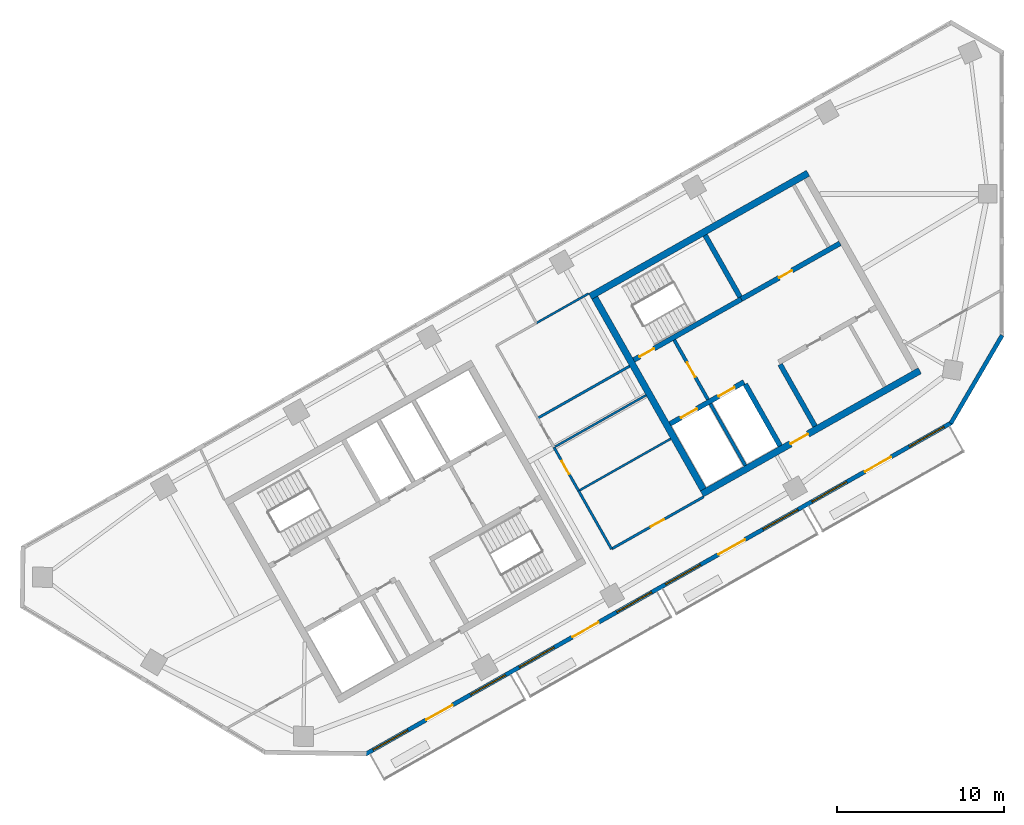
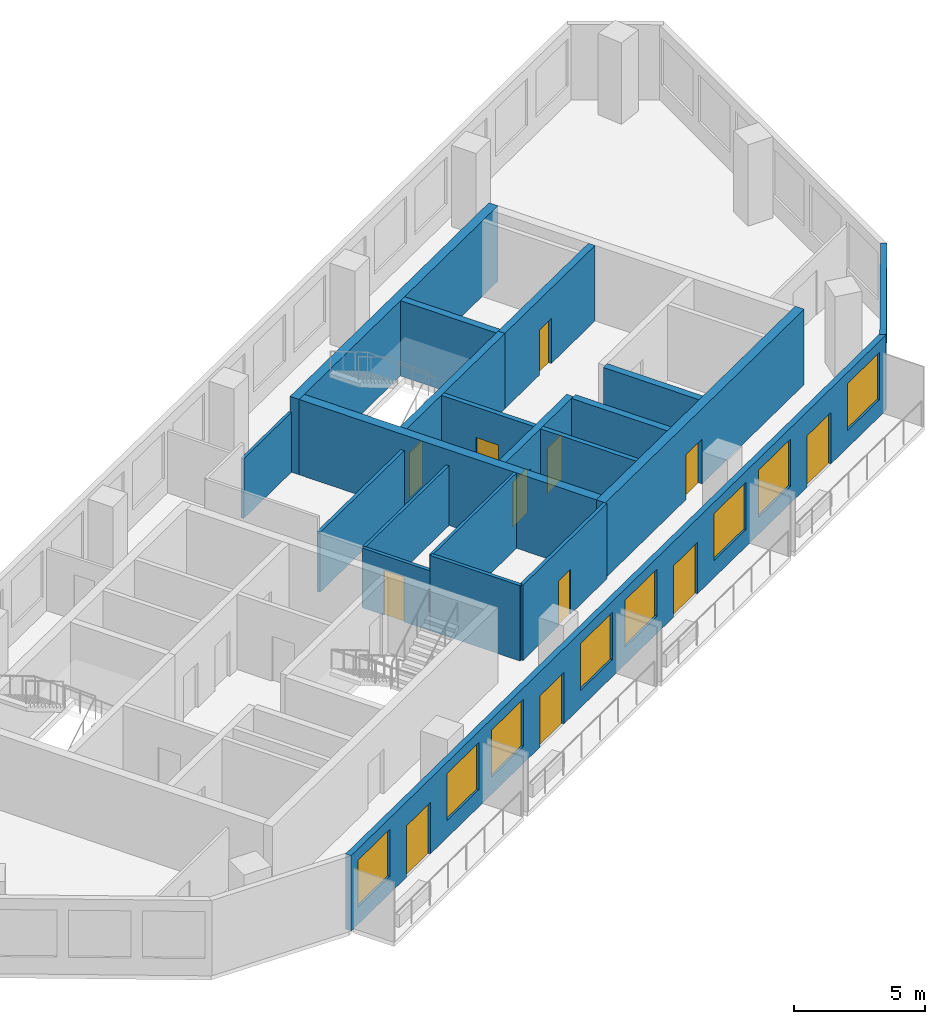
# One storey, part 4 of 7: 20 walls, 12 doors, 8 windows, 20 openings.
"""IFC4 building model written with IfcOpenShell, lengths in metres."""

from ifc_helpers import new_model, si_unit, direction, frame, frame_2d, origin, place, context, subcontext, project, spatial, rectangle, extrude, material, layer, layer_set, type_object, element, fill, save


model = new_model("IFC4")

# Units and contexts
model_context = context("Model", 3, precision=1e-05, world=origin(), true_north=direction((0.0, 1.0)))
body_context = subcontext(model_context, "Body", "Model", "MODEL_VIEW")
ifc_project = project(units=[si_unit("LENGTHUNIT", "METRE"), si_unit("AREAUNIT", "SQUARE_METRE"), si_unit("VOLUMEUNIT", "CUBIC_METRE"), si_unit("PLANEANGLEUNIT", "RADIAN"), si_unit("MASSUNIT", "GRAM", prefix="KILO")], contexts=[model_context])

# Site, building, storey
site_placement = place(None, origin())
site = spatial("IfcSite", under=ifc_project, at=site_placement, CompositionType="ELEMENT")
building_placement = place(site_placement, origin())
building = spatial("IfcBuilding", under=site, at=building_placement, Name="Binnacle Exchange Tower", CompositionType="ELEMENT")
storey_placement = place(building_placement, frame((0.0, 0.0, 274.10009765625)))
storey = spatial("IfcBuildingStorey", under=building, at=storey_placement, Name="L61", CompositionType="ELEMENT", Elevation=274.10009765625)

# Wall, openings, doors
ifc_material_1 = material(Name="Concrete C70/85", Category="concrete")
ifc_layer_1 = layer(ifc_material_1, 0.300048828125)
ifc_layer_set_1 = layer_set([ifc_layer_1], Name="Core wall - front 300")
wall_type_1 = type_object("IfcWallType", Name="Core wall - front 300", PredefinedType="SOLIDWALL", material=ifc_layer_set_1)
wall_1_placement = place(storey_placement, frame((-19.89208984375, 46.2177734375, 0.0), z_axis=(0.0, 0.0, 1.0), x_axis=(0.870341639186, 0.492448404505, 0.0)))
wall_1 = element("IfcWall", 1, at=wall_1_placement, inside=storey, type_object=wall_type_1, Name="Core wall CRWC2", PredefinedType="SOLIDWALL", context=body_context, shape_type="SweptSolid", body=[
    extrude(rectangle(XDim=5.099853515625, YDim=0.300048828125, at=frame_2d((2.5498046875, 0.0))), origin(), (0.0, 0.0, 1.0), 3.52001953125),
])
opening_1_placement = place(wall_1_placement, frame((0.75, 0.0, 0.0)))
opening_1 = element("IfcOpeningElement", 2, at=opening_1_placement, cuts=wall_1, Name="Opening LD14", PredefinedType="OPENING", context=body_context, shape_type="SweptSolid", body=[
    extrude(rectangle(XDim=1.10009765625, YDim=2.10009765625, at=frame_2d((0.550048828125, 1.050048828125))), frame((0.0, 0.159912109375, 0.0), z_axis=(0.0, -1.0, 0.0), x_axis=(1.0, 0.0, 0.0)), (0.0, 0.0, 1.0), 0.320068359375),
])
opening_2_placement = place(wall_1_placement, frame((3.35009765625, 0.0, 0.0)))
opening_2 = element("IfcOpeningElement", 3, at=opening_2_placement, cuts=wall_1, Name="Opening LD11", PredefinedType="OPENING", context=body_context, shape_type="SweptSolid", body=[
    extrude(rectangle(XDim=1.10009765625, YDim=2.10009765625, at=frame_2d((0.550048828125, 1.050048828125))), frame((0.0, 0.159912109375, 0.0), z_axis=(0.0, -1.0, 0.0), x_axis=(1.0, 0.0, 0.0)), (0.0, 0.0, 1.0), 0.320068359375),
])
ifc_material_2 = material(Name="Steel door leaf", Category="steel")
door_type_1 = type_object("IfcDoorType", Name="Fire door - lift landing 1100", OperationType="NOTDEFINED", PredefinedType="DOOR", material=ifc_material_2)
door_1_placement = place(opening_1_placement, origin())
door_1 = element("IfcDoor", 4, at=door_1_placement, inside=storey, type_object=door_type_1, Name="Landing door LD14 L61", OperationType="DOUBLE_DOOR_SLIDING", OverallHeight=2.10009765625, OverallWidth=1.10009765625, PredefinedType="DOOR", context=body_context, shape_type="SweptSolid", body=[
    extrude(rectangle(XDim=1.10009765625, YDim=2.10009765625, at=frame_2d((0.550048828125, 1.050048828125))), frame((0.0, 0.02490234375, 0.0), z_axis=(0.0, -1.0, 0.0), x_axis=(1.0, 0.0, 0.0)), (0.0, 0.0, 1.0), 0.050048828125),
])
fill(opening_1, door_1)
door_2_placement = place(opening_2_placement, origin())
door_2 = element("IfcDoor", 5, at=door_2_placement, inside=storey, type_object=door_type_1, Name="Landing door LD11 L61", OperationType="DOUBLE_DOOR_SLIDING", OverallHeight=2.10009765625, OverallWidth=1.10009765625, PredefinedType="DOOR", context=body_context, shape_type="SweptSolid", body=[
    extrude(rectangle(XDim=1.10009765625, YDim=2.10009765625, at=frame_2d((0.550048828125, 1.050048828125))), frame((0.0, 0.02490234375, 0.0), z_axis=(0.0, -1.0, 0.0), x_axis=(1.0, 0.0, 0.0)), (0.0, 0.0, 1.0), 0.050048828125),
])
fill(opening_2, door_2)

# Wall, opening, door
wall_2_placement = place(storey_placement, frame((-15.6181640625, 53.69140625, 0.0), z_axis=(0.0, 0.0, 1.0), x_axis=(0.870362830851, 0.492410948978, 0.0)))
wall_2 = element("IfcWall", 6, at=wall_2_placement, inside=storey, type_object=wall_type_1, Name="Core wall CRWC5", PredefinedType="SOLIDWALL", context=body_context, shape_type="SweptSolid", body=[
    extrude(rectangle(XDim=6.800048828125, YDim=0.300048828125, at=frame_2d((3.39990234375, 0.0))), origin(), (0.0, 0.0, 1.0), 3.52001953125),
])
opening_3_placement = place(wall_2_placement, frame((2.60009765625, 0.0, 0.0)))
opening_3 = element("IfcOpeningElement", 7, at=opening_3_placement, cuts=wall_2, Name="Opening DC10", PredefinedType="OPENING", context=body_context, shape_type="SweptSolid", body=[
    extrude(rectangle(XDim=0.89990234375, YDim=2.10009765625, at=frame_2d((0.449951171875, 1.050048828125))), frame((0.0, 0.159912109375, 0.0), z_axis=(0.0, -1.0, 0.0), x_axis=(1.0, 0.0, 0.0)), (0.0, 0.0, 1.0), 0.320068359375),
])
door_type_2 = type_object("IfcDoorType", Name="Fire door 900", OperationType="NOTDEFINED", PredefinedType="DOOR", material=ifc_material_2)
door_3_placement = place(opening_3_placement, origin())
door_3 = element("IfcDoor", 8, at=door_3_placement, inside=storey, type_object=door_type_2, Name="Core room door STAFF PANTRY AND STORE", OperationType="SINGLE_SWING_LEFT", OverallHeight=2.10009765625, OverallWidth=0.89990234375, PredefinedType="DOOR", context=body_context, shape_type="SweptSolid", body=[
    extrude(rectangle(XDim=0.89990234375, YDim=2.10009765625, at=frame_2d((0.449951171875, 1.050048828125))), frame((0.0, 0.02490234375, 0.0), z_axis=(0.0, -1.0, 0.0), x_axis=(1.0, 0.0, 0.0)), (0.0, 0.0, 1.0), 0.050048828125),
])
fill(opening_3, door_3)

# Walls
wall_3_placement = place(storey_placement, frame((-15.37939453125, 48.5986328125, 0.0), z_axis=(0.0, 0.0, 1.0), x_axis=(0.492422543467, -0.870356271124, 0.0)))
element("IfcWall", 9, at=wall_3_placement, inside=storey, type_object=wall_type_1, Name="Core wall CRWC13", PredefinedType="SOLIDWALL", context=body_context, shape_type="SweptSolid", body=[
    extrude(rectangle(XDim=4.25, YDim=0.300048828125, at=frame_2d((2.125, 0.0))), origin(), (0.0, 0.0, 1.0), 3.52001953125),
])
wall_4_placement = place(storey_placement, frame((-13.29052734375, 49.780517578125, 0.0), z_axis=(0.0, 0.0, 1.0), x_axis=(0.492397924348, -0.870370199454, 0.0)))
element("IfcWall", 10, at=wall_4_placement, inside=storey, type_object=wall_type_1, Name="Core wall CRWC15", PredefinedType="SOLIDWALL", context=body_context, shape_type="SweptSolid", body=[
    extrude(rectangle(XDim=4.250244140625, YDim=0.300048828125, at=frame_2d((2.125, 0.0))), origin(), (0.0, 0.0, 1.0), 3.52001953125),
])

# Wall, opening, door
ifc_layer_2 = layer(ifc_material_1, 0.39990234375)
ifc_layer_set_2 = layer_set([ifc_layer_2], Name="Core wall - outer 400")
wall_type_2 = type_object("IfcWallType", Name="Core wall - outer 400", PredefinedType="SOLIDWALL", material=ifc_layer_set_2)
wall_5_placement = place(storey_placement, frame((-17.97509765625, 42.01708984375, 0.0), z_axis=(0.0, 0.0, 1.0), x_axis=(0.87034965173, 0.492434243055, 0.0)))
wall_5 = element("IfcWall", 11, at=wall_5_placement, inside=storey, type_object=wall_type_2, Name="Core wall CRWC1", PredefinedType="SOLIDWALL", context=body_context, shape_type="SweptSolid", body=[
    extrude(rectangle(XDim=15.0, YDim=0.39990234375, at=frame_2d((7.5, 0.0))), origin(), (0.0, 0.0, 1.0), 3.52001953125),
])
opening_4_placement = place(wall_5_placement, frame((6.10009765625, 0.0, 0.0)))
opening_4 = element("IfcOpeningElement", 12, at=opening_4_placement, cuts=wall_5, Name="Opening DC7", PredefinedType="OPENING", context=body_context, shape_type="SweptSolid", body=[
    extrude(rectangle(XDim=1.199951171875, YDim=2.10009765625, at=frame_2d((0.60009765625, 1.050048828125))), frame((0.0, 0.2099609375, 0.0), z_axis=(0.0, -1.0, 0.0), x_axis=(1.0, 0.0, 0.0)), (0.0, 0.0, 1.0), 0.419921875),
])
door_type_3 = type_object("IfcDoorType", Name="Fire door 1200", OperationType="NOTDEFINED", PredefinedType="DOOR", material=ifc_material_2)
door_4_placement = place(opening_4_placement, frame((1.199951171875, 0.0, 0.0), z_axis=(0.0, 0.0, 1.0), x_axis=(-1.0, 0.0, 0.0)))
door_4 = element("IfcDoor", 13, at=door_4_placement, inside=storey, type_object=door_type_3, Name="Lift lobby entrance door core C", OperationType="SINGLE_SWING_RIGHT", OverallHeight=2.10009765625, OverallWidth=1.199951171875, PredefinedType="DOOR", context=body_context, shape_type="SweptSolid", body=[
    extrude(rectangle(XDim=1.199951171875, YDim=2.10009765625, at=frame_2d((0.60009765625, 1.050048828125))), frame((0.0, 0.02490234375, 0.0), z_axis=(0.0, -1.0, 0.0), x_axis=(1.0, 0.0, 0.0)), (0.0, 0.0, 1.0), 0.050048828125),
])
fill(opening_4, door_4)

# Walls
wall_6_placement = place(storey_placement, frame((-24.672119140625, 53.85400390625, 0.0), z_axis=(0.0, 0.0, 1.0), x_axis=(0.870353598469, 0.492427267353, 0.0)))
element("IfcWall", 14, at=wall_6_placement, inside=storey, type_object=wall_type_2, Name="Core wall CRWC6", PredefinedType="SOLIDWALL", context=body_context, shape_type="SweptSolid", body=[
    extrude(rectangle(XDim=15.000244140625, YDim=0.39990234375, at=frame_2d((7.5, 0.0))), origin(), (0.0, 0.0, 1.0), 3.52001953125),
])
wall_7_placement = place(storey_placement, frame((-24.399658203125, 53.778564453125, 0.0), z_axis=(0.0, 0.0, 1.0), x_axis=(0.492421663121, -0.870356769198, 0.0)))
element("IfcWall", 15, at=wall_7_placement, inside=storey, type_object=wall_type_2, Name="Core wall CRWC7", PredefinedType="SOLIDWALL", context=body_context, shape_type="SweptSolid", body=[
    extrude(rectangle(XDim=13.199951171875, YDim=0.39990234375, at=frame_2d((6.60009765625, 0.0))), origin(), (0.0, 0.0, 1.0), 3.52001953125),
])

# Wall, opening, door
ifc_layer_3 = layer(ifc_material_1, 0.300048828125)
ifc_layer_set_3 = layer_set([ifc_layer_3], Name="Core wall - stair 300")
wall_type_3 = type_object("IfcWallType", Name="Core wall - stair 300", PredefinedType="SOLIDWALL", material=ifc_layer_set_3)
wall_8_placement = place(storey_placement, frame((-22.058837890625, 50.04736328125, 0.0), z_axis=(0.0, 0.0, 1.0), x_axis=(0.87035077051, 0.49243226567, 0.0)))
wall_8 = element("IfcWall", 16, at=wall_8_placement, inside=storey, type_object=wall_type_3, Name="Core wall CRWC4", PredefinedType="SOLIDWALL", context=body_context, shape_type="SweptSolid", body=[
    extrude(rectangle(XDim=7.400146484375, YDim=0.300048828125, at=frame_2d((3.7001953125, 0.0))), origin(), (0.0, 0.0, 1.0), 3.52001953125),
])
opening_5_placement = place(wall_8_placement, frame((0.39990234375, 0.0, 0.0)))
opening_5 = element("IfcOpeningElement", 17, at=opening_5_placement, cuts=wall_8, Name="Opening DC1", PredefinedType="OPENING", context=body_context, shape_type="SweptSolid", body=[
    extrude(rectangle(XDim=1.0, YDim=2.10009765625, at=frame_2d((0.5, 1.050048828125))), frame((0.0, 0.159912109375, 0.0), z_axis=(0.0, -1.0, 0.0), x_axis=(1.0, 0.0, 0.0)), (0.0, 0.0, 1.0), 0.320068359375),
])
door_type_4 = type_object("IfcDoorType", Name="Fire door 1000", OperationType="NOTDEFINED", PredefinedType="DOOR", material=ifc_material_2)
door_5_placement = place(opening_5_placement, origin())
door_5 = element("IfcDoor", 18, at=door_5_placement, inside=storey, type_object=door_type_4, Name="Stair door ST-C1", OperationType="SINGLE_SWING_LEFT", OverallHeight=2.10009765625, OverallWidth=1.0, PredefinedType="DOOR", context=body_context, shape_type="SweptSolid", body=[
    extrude(rectangle(XDim=1.0, YDim=2.10009765625, at=frame_2d((0.5, 1.050048828125))), frame((0.0, 0.02490234375, 0.0), z_axis=(0.0, -1.0, 0.0), x_axis=(1.0, 0.0, 0.0)), (0.0, 0.0, 1.0), 0.050048828125),
])
fill(opening_5, door_5)

# Walls
wall_9_placement = place(storey_placement, frame((-17.784912109375, 57.52099609375, 0.0), z_axis=(0.0, 0.0, 1.0), x_axis=(0.492422543467, -0.870356271124, 0.0)))
element("IfcWall", 19, at=wall_9_placement, inside=storey, type_object=wall_type_3, Name="Core wall CRWC14", PredefinedType="SOLIDWALL", context=body_context, shape_type="SweptSolid", body=[
    extrude(rectangle(XDim=4.25, YDim=0.300048828125, at=frame_2d((2.125, 0.0))), origin(), (0.0, 0.0, 1.0), 3.52001953125),
])
ifc_material_3 = material(Name="Bronze aluminium cladding", Category="aluminium")
ifc_layer_4 = layer(ifc_material_3, 0.25)
ifc_layer_set_4 = layer_set([ifc_layer_4], Name="External wall - window wall 250")
wall_type_4 = type_object("IfcWallType", Name="External wall - window wall 250", PredefinedType="STANDARD", material=ifc_layer_set_4)
wall_10_placement = place(storey_placement, frame((0.01708984375, 51.529296875, 0.0), z_axis=(0.0, 0.0, 1.0), x_axis=(-0.503769237131, -0.863838269424, 0.0)))
element("IfcWall", 20, at=wall_10_placement, inside=storey, type_object=wall_type_4, Name="External wall EW-H00 L61", PredefinedType="STANDARD", context=body_context, shape_type="SweptSolid", body=[
    extrude(rectangle(XDim=6.114501953125, YDim=0.25, at=frame_2d((3.05712890625, 0.0))), origin(), (0.0, 0.0, 1.0), 3.52001953125),
])

# Wall, openings, doors, windows
wall_11_placement = place(storey_placement, frame((-3.016845703125, 46.293212890625, 0.0), z_axis=(0.0, 0.0, 1.0), x_axis=(-0.870355474887, -0.492423950812, 0.0)))
wall_11 = element("IfcWall", 21, at=wall_11_placement, inside=storey, type_object=wall_type_4, Name="External wall EW-H07 L61", PredefinedType="STANDARD", context=body_context, shape_type="SweptSolid", body=[
    extrude(rectangle(XDim=40.34033203125, YDim=0.25, at=frame_2d((20.170166015625, 0.0))), origin(), (0.0, 0.0, 1.0), 3.52001953125),
])
opening_6_placement = place(wall_11_placement, frame((37.428466796875, 0.0, 0.800048828125)))
opening_6 = element("IfcOpeningElement", 22, at=opening_6_placement, cuts=wall_11, Name="Opening WR2", PredefinedType="OPENING", context=body_context, shape_type="SweptSolid", body=[
    extrude(rectangle(XDim=2.39990234375, YDim=2.199951171875, at=frame_2d((1.199951171875, 1.10009765625))), frame((0.0, 0.135009765625, 0.0), z_axis=(0.0, -1.0, 0.0), x_axis=(1.0, 0.0, 0.0)), (0.0, 0.0, 1.0), 0.27001953125),
])
opening_7_placement = place(wall_11_placement, frame((34.372314453125, 0.0, 0.0)))
opening_7 = element("IfcOpeningElement", 23, at=opening_7_placement, cuts=wall_11, Name="Opening D-FS18-01", PredefinedType="OPENING", context=body_context, shape_type="SweptSolid", body=[
    extrude(rectangle(XDim=1.800048828125, YDim=2.39990234375, at=frame_2d((0.89990234375, 1.199951171875))), frame((0.0, 0.135009765625, 0.0), z_axis=(0.0, -1.0, 0.0), x_axis=(1.0, 0.0, 0.0)), (0.0, 0.0, 1.0), 0.27001953125),
])
opening_8_placement = place(wall_11_placement, frame((30.71630859375, 0.0, 0.800048828125)))
opening_8 = element("IfcOpeningElement", 24, at=opening_8_placement, cuts=wall_11, Name="Opening WR2", PredefinedType="OPENING", context=body_context, shape_type="SweptSolid", body=[
    extrude(rectangle(XDim=2.39990234375, YDim=2.199951171875, at=frame_2d((1.199951171875, 1.10009765625))), frame((0.0, 0.135009765625, 0.0), z_axis=(0.0, -1.0, 0.0), x_axis=(1.0, 0.0, 0.0)), (0.0, 0.0, 1.0), 0.27001953125),
])
opening_9_placement = place(wall_11_placement, frame((27.3603515625, 0.0, 0.800048828125)))
opening_9 = element("IfcOpeningElement", 25, at=opening_9_placement, cuts=wall_11, Name="Opening WR2", PredefinedType="OPENING", context=body_context, shape_type="SweptSolid", body=[
    extrude(rectangle(XDim=2.39990234375, YDim=2.199951171875, at=frame_2d((1.199951171875, 1.10009765625))), frame((0.0, 0.135009765625, 0.0), z_axis=(0.0, -1.0, 0.0), x_axis=(1.0, 0.0, 0.0)), (0.0, 0.0, 1.0), 0.27001953125),
])
opening_10_placement = place(wall_11_placement, frame((24.30419921875, 0.0, 0.0)))
opening_10 = element("IfcOpeningElement", 26, at=opening_10_placement, cuts=wall_11, Name="Opening D-FS18-02", PredefinedType="OPENING", context=body_context, shape_type="SweptSolid", body=[
    extrude(rectangle(XDim=1.800048828125, YDim=2.39990234375, at=frame_2d((0.89990234375, 1.199951171875))), frame((0.0, 0.135009765625, 0.0), z_axis=(0.0, -1.0, 0.0), x_axis=(1.0, 0.0, 0.0)), (0.0, 0.0, 1.0), 0.27001953125),
])
opening_11_placement = place(wall_11_placement, frame((20.648193359375, 0.0, 0.800048828125)))
opening_11 = element("IfcOpeningElement", 27, at=opening_11_placement, cuts=wall_11, Name="Opening WR2", PredefinedType="OPENING", context=body_context, shape_type="SweptSolid", body=[
    extrude(rectangle(XDim=2.39990234375, YDim=2.199951171875, at=frame_2d((1.199951171875, 1.10009765625))), frame((0.0, 0.135009765625, 0.0), z_axis=(0.0, -1.0, 0.0), x_axis=(1.0, 0.0, 0.0)), (0.0, 0.0, 1.0), 0.27001953125),
])
opening_12_placement = place(wall_11_placement, frame((17.2919921875, 0.0, 0.800048828125)))
opening_12 = element("IfcOpeningElement", 28, at=opening_12_placement, cuts=wall_11, Name="Opening WR2", PredefinedType="OPENING", context=body_context, shape_type="SweptSolid", body=[
    extrude(rectangle(XDim=2.39990234375, YDim=2.199951171875, at=frame_2d((1.199951171875, 1.10009765625))), frame((0.0, 0.135009765625, 0.0), z_axis=(0.0, -1.0, 0.0), x_axis=(1.0, 0.0, 0.0)), (0.0, 0.0, 1.0), 0.27001953125),
])
opening_13_placement = place(wall_11_placement, frame((14.236083984375, 0.0, 0.0)))
opening_13 = element("IfcOpeningElement", 29, at=opening_13_placement, cuts=wall_11, Name="Opening D-FS18-03", PredefinedType="OPENING", context=body_context, shape_type="SweptSolid", body=[
    extrude(rectangle(XDim=1.800048828125, YDim=2.39990234375, at=frame_2d((0.89990234375, 1.199951171875))), frame((0.0, 0.135009765625, 0.0), z_axis=(0.0, -1.0, 0.0), x_axis=(1.0, 0.0, 0.0)), (0.0, 0.0, 1.0), 0.27001953125),
])
opening_14_placement = place(wall_11_placement, frame((10.580078125, 0.0, 0.800048828125)))
opening_14 = element("IfcOpeningElement", 30, at=opening_14_placement, cuts=wall_11, Name="Opening WR2", PredefinedType="OPENING", context=body_context, shape_type="SweptSolid", body=[
    extrude(rectangle(XDim=2.39990234375, YDim=2.199951171875, at=frame_2d((1.199951171875, 1.10009765625))), frame((0.0, 0.135009765625, 0.0), z_axis=(0.0, -1.0, 0.0), x_axis=(1.0, 0.0, 0.0)), (0.0, 0.0, 1.0), 0.27001953125),
])
opening_15_placement = place(wall_11_placement, frame((7.223876953125, 0.0, 0.800048828125)))
opening_15 = element("IfcOpeningElement", 31, at=opening_15_placement, cuts=wall_11, Name="Opening WR2", PredefinedType="OPENING", context=body_context, shape_type="SweptSolid", body=[
    extrude(rectangle(XDim=2.39990234375, YDim=2.199951171875, at=frame_2d((1.199951171875, 1.10009765625))), frame((0.0, 0.135009765625, 0.0), z_axis=(0.0, -1.0, 0.0), x_axis=(1.0, 0.0, 0.0)), (0.0, 0.0, 1.0), 0.27001953125),
])
opening_16_placement = place(wall_11_placement, frame((4.16796875, 0.0, 0.0)))
opening_16 = element("IfcOpeningElement", 32, at=opening_16_placement, cuts=wall_11, Name="Opening D-FS18-04", PredefinedType="OPENING", context=body_context, shape_type="SweptSolid", body=[
    extrude(rectangle(XDim=1.800048828125, YDim=2.39990234375, at=frame_2d((0.89990234375, 1.199951171875))), frame((0.0, 0.135009765625, 0.0), z_axis=(0.0, -1.0, 0.0), x_axis=(1.0, 0.0, 0.0)), (0.0, 0.0, 1.0), 0.27001953125),
])
opening_17_placement = place(wall_11_placement, frame((0.51171875, 0.0, 0.800048828125)))
opening_17 = element("IfcOpeningElement", 33, at=opening_17_placement, cuts=wall_11, Name="Opening WR2", PredefinedType="OPENING", context=body_context, shape_type="SweptSolid", body=[
    extrude(rectangle(XDim=2.39990234375, YDim=2.199951171875, at=frame_2d((1.199951171875, 1.10009765625))), frame((0.0, 0.135009765625, 0.0), z_axis=(0.0, -1.0, 0.0), x_axis=(1.0, 0.0, 0.0)), (0.0, 0.0, 1.0), 0.27001953125),
])
ifc_material_4 = material(Name="Bronze anodised aluminium frame", Category="aluminium")
door_type_5 = type_object("IfcDoorType", Name="DB DOOR 1800x2400", OperationType="DOUBLE_DOOR_SINGLE_SWING", PredefinedType="DOOR", material=ifc_material_4)
door_6_placement = place(opening_7_placement, origin())
door_6 = element("IfcDoor", 34, at=door_6_placement, inside=storey, type_object=door_type_5, Name="Door D-FS18-01 L61", OperationType="DOUBLE_DOOR_SINGLE_SWING", OverallHeight=2.39990234375, OverallWidth=1.800048828125, PredefinedType="DOOR", context=body_context, shape_type="SweptSolid", body=[
    extrude(rectangle(XDim=1.800048828125, YDim=2.39990234375, at=frame_2d((0.89990234375, 1.199951171875))), frame((0.0, 0.02490234375, 0.0), z_axis=(0.0, -1.0, 0.0), x_axis=(1.0, 0.0, 0.0)), (0.0, 0.0, 1.0), 0.050048828125),
])
fill(opening_7, door_6)
door_7_placement = place(opening_10_placement, origin())
door_7 = element("IfcDoor", 35, at=door_7_placement, inside=storey, type_object=door_type_5, Name="Door D-FS18-02 L61", OperationType="DOUBLE_DOOR_SINGLE_SWING", OverallHeight=2.39990234375, OverallWidth=1.800048828125, PredefinedType="DOOR", context=body_context, shape_type="SweptSolid", body=[
    extrude(rectangle(XDim=1.800048828125, YDim=2.39990234375, at=frame_2d((0.89990234375, 1.199951171875))), frame((0.0, 0.02490234375, 0.0), z_axis=(0.0, -1.0, 0.0), x_axis=(1.0, 0.0, 0.0)), (0.0, 0.0, 1.0), 0.050048828125),
])
fill(opening_10, door_7)
door_8_placement = place(opening_13_placement, origin())
door_8 = element("IfcDoor", 36, at=door_8_placement, inside=storey, type_object=door_type_5, Name="Door D-FS18-03 L61", OperationType="DOUBLE_DOOR_SINGLE_SWING", OverallHeight=2.39990234375, OverallWidth=1.800048828125, PredefinedType="DOOR", context=body_context, shape_type="SweptSolid", body=[
    extrude(rectangle(XDim=1.800048828125, YDim=2.39990234375, at=frame_2d((0.89990234375, 1.199951171875))), frame((0.0, 0.02490234375, 0.0), z_axis=(0.0, -1.0, 0.0), x_axis=(1.0, 0.0, 0.0)), (0.0, 0.0, 1.0), 0.050048828125),
])
fill(opening_13, door_8)
door_9_placement = place(opening_16_placement, origin())
door_9 = element("IfcDoor", 37, at=door_9_placement, inside=storey, type_object=door_type_5, Name="Door D-FS18-04 L61", OperationType="DOUBLE_DOOR_SINGLE_SWING", OverallHeight=2.39990234375, OverallWidth=1.800048828125, PredefinedType="DOOR", context=body_context, shape_type="SweptSolid", body=[
    extrude(rectangle(XDim=1.800048828125, YDim=2.39990234375, at=frame_2d((0.89990234375, 1.199951171875))), frame((0.0, 0.02490234375, 0.0), z_axis=(0.0, -1.0, 0.0), x_axis=(1.0, 0.0, 0.0)), (0.0, 0.0, 1.0), 0.050048828125),
])
fill(opening_16, door_9)
window_type = type_object("IfcWindowType", Name="WR2 WINDOW 2400x2200", PartitioningType="SINGLE_PANEL", PredefinedType="WINDOW", material=ifc_material_4)
window_1_placement = place(opening_6_placement, origin())
window_1 = element("IfcWindow", 38, at=window_1_placement, inside=storey, type_object=window_type, Name="Window WR2 L61", OverallHeight=2.199951171875, OverallWidth=2.39990234375, PartitioningType="SINGLE_PANEL", PredefinedType="WINDOW", context=body_context, shape_type="SweptSolid", body=[
    extrude(rectangle(XDim=2.39990234375, YDim=2.199951171875, at=frame_2d((1.199951171875, 1.10009765625))), frame((0.0, 0.030029296875, 0.0), z_axis=(0.0, -1.0, 0.0), x_axis=(1.0, 0.0, 0.0)), (0.0, 0.0, 1.0), 0.06005859375),
])
fill(opening_6, window_1)
window_2_placement = place(opening_8_placement, origin())
window_2 = element("IfcWindow", 39, at=window_2_placement, inside=storey, type_object=window_type, Name="Window WR2 L61", OverallHeight=2.199951171875, OverallWidth=2.39990234375, PartitioningType="SINGLE_PANEL", PredefinedType="WINDOW", context=body_context, shape_type="SweptSolid", body=[
    extrude(rectangle(XDim=2.39990234375, YDim=2.199951171875, at=frame_2d((1.199951171875, 1.10009765625))), frame((0.0, 0.030029296875, 0.0), z_axis=(0.0, -1.0, 0.0), x_axis=(1.0, 0.0, 0.0)), (0.0, 0.0, 1.0), 0.06005859375),
])
fill(opening_8, window_2)
window_3_placement = place(opening_9_placement, origin())
window_3 = element("IfcWindow", 40, at=window_3_placement, inside=storey, type_object=window_type, Name="Window WR2 L61", OverallHeight=2.199951171875, OverallWidth=2.39990234375, PartitioningType="SINGLE_PANEL", PredefinedType="WINDOW", context=body_context, shape_type="SweptSolid", body=[
    extrude(rectangle(XDim=2.39990234375, YDim=2.199951171875, at=frame_2d((1.199951171875, 1.10009765625))), frame((0.0, 0.030029296875, 0.0), z_axis=(0.0, -1.0, 0.0), x_axis=(1.0, 0.0, 0.0)), (0.0, 0.0, 1.0), 0.06005859375),
])
fill(opening_9, window_3)
window_4_placement = place(opening_11_placement, origin())
window_4 = element("IfcWindow", 41, at=window_4_placement, inside=storey, type_object=window_type, Name="Window WR2 L61", OverallHeight=2.199951171875, OverallWidth=2.39990234375, PartitioningType="SINGLE_PANEL", PredefinedType="WINDOW", context=body_context, shape_type="SweptSolid", body=[
    extrude(rectangle(XDim=2.39990234375, YDim=2.199951171875, at=frame_2d((1.199951171875, 1.10009765625))), frame((0.0, 0.030029296875, 0.0), z_axis=(0.0, -1.0, 0.0), x_axis=(1.0, 0.0, 0.0)), (0.0, 0.0, 1.0), 0.06005859375),
])
fill(opening_11, window_4)
window_5_placement = place(opening_12_placement, origin())
window_5 = element("IfcWindow", 42, at=window_5_placement, inside=storey, type_object=window_type, Name="Window WR2 L61", OverallHeight=2.199951171875, OverallWidth=2.39990234375, PartitioningType="SINGLE_PANEL", PredefinedType="WINDOW", context=body_context, shape_type="SweptSolid", body=[
    extrude(rectangle(XDim=2.39990234375, YDim=2.199951171875, at=frame_2d((1.199951171875, 1.10009765625))), frame((0.0, 0.030029296875, 0.0), z_axis=(0.0, -1.0, 0.0), x_axis=(1.0, 0.0, 0.0)), (0.0, 0.0, 1.0), 0.06005859375),
])
fill(opening_12, window_5)
window_6_placement = place(opening_14_placement, origin())
window_6 = element("IfcWindow", 43, at=window_6_placement, inside=storey, type_object=window_type, Name="Window WR2 L61", OverallHeight=2.199951171875, OverallWidth=2.39990234375, PartitioningType="SINGLE_PANEL", PredefinedType="WINDOW", context=body_context, shape_type="SweptSolid", body=[
    extrude(rectangle(XDim=2.39990234375, YDim=2.199951171875, at=frame_2d((1.199951171875, 1.10009765625))), frame((0.0, 0.030029296875, 0.0), z_axis=(0.0, -1.0, 0.0), x_axis=(1.0, 0.0, 0.0)), (0.0, 0.0, 1.0), 0.06005859375),
])
fill(opening_14, window_6)
window_7_placement = place(opening_15_placement, origin())
window_7 = element("IfcWindow", 44, at=window_7_placement, inside=storey, type_object=window_type, Name="Window WR2 L61", OverallHeight=2.199951171875, OverallWidth=2.39990234375, PartitioningType="SINGLE_PANEL", PredefinedType="WINDOW", context=body_context, shape_type="SweptSolid", body=[
    extrude(rectangle(XDim=2.39990234375, YDim=2.199951171875, at=frame_2d((1.199951171875, 1.10009765625))), frame((0.0, 0.030029296875, 0.0), z_axis=(0.0, -1.0, 0.0), x_axis=(1.0, 0.0, 0.0)), (0.0, 0.0, 1.0), 0.06005859375),
])
fill(opening_15, window_7)
window_8_placement = place(opening_17_placement, origin())
window_8 = element("IfcWindow", 45, at=window_8_placement, inside=storey, type_object=window_type, Name="Window WR2 L61", OverallHeight=2.199951171875, OverallWidth=2.39990234375, PartitioningType="SINGLE_PANEL", PredefinedType="WINDOW", context=body_context, shape_type="SweptSolid", body=[
    extrude(rectangle(XDim=2.39990234375, YDim=2.199951171875, at=frame_2d((1.199951171875, 1.10009765625))), frame((0.0, 0.030029296875, 0.0), z_axis=(0.0, -1.0, 0.0), x_axis=(1.0, 0.0, 0.0)), (0.0, 0.0, 1.0), 0.06005859375),
])
fill(opening_17, window_8)

# Wall, opening, door
ifc_material_5 = material(Name="Masonry block wall", Category="masonry")
ifc_layer_5 = layer(ifc_material_5, 0.199951171875)
ifc_layer_set_5 = layer_set([ifc_layer_5], Name="Fire wall - vestibule 200")
wall_type_5 = type_object("IfcWallType", Name="Fire wall - vestibule 200", PredefinedType="PARTITIONING", material=ifc_layer_set_5)
wall_12_placement = place(storey_placement, frame((-19.635009765625, 51.246337890625, 0.0), z_axis=(0.0, 0.0, 1.0), x_axis=(0.492408451753, -0.87036424366, 0.0)))
wall_12 = element("IfcWall", 46, at=wall_12_placement, inside=storey, type_object=wall_type_5, Name="Core wall CRWC10", PredefinedType="PARTITIONING", context=body_context, shape_type="SweptSolid", body=[
    extrude(rectangle(XDim=4.099853515625, YDim=0.199951171875, at=frame_2d((2.0498046875, 0.0))), origin(), (0.0, 0.0, 1.0), 3.52001953125),
])
opening_18_placement = place(wall_12_placement, frame((1.550048828125, 0.0, 0.0)))
opening_18 = element("IfcOpeningElement", 47, at=opening_18_placement, cuts=wall_12, Name="Opening DC3", PredefinedType="OPENING", context=body_context, shape_type="SweptSolid", body=[
    extrude(rectangle(XDim=1.0, YDim=2.10009765625, at=frame_2d((0.5, 1.050048828125))), frame((0.0, 0.10986328125, 0.0), z_axis=(0.0, -1.0, 0.0), x_axis=(1.0, 0.0, 0.0)), (0.0, 0.0, 1.0), 0.219970703125),
])
door_10_placement = place(opening_18_placement, frame((1.0, 0.0, 0.0), z_axis=(0.0, 0.0, 1.0), x_axis=(-1.0, 0.0, 0.0)))
door_10 = element("IfcDoor", 48, at=door_10_placement, inside=storey, type_object=door_type_4, Name="Vestibule door VEST-W", OperationType="SINGLE_SWING_RIGHT", OverallHeight=2.10009765625, OverallWidth=1.0, PredefinedType="DOOR", context=body_context, shape_type="SweptSolid", body=[
    extrude(rectangle(XDim=1.0, YDim=2.10009765625, at=frame_2d((0.5, 1.050048828125))), frame((0.0, 0.02490234375, 0.0), z_axis=(0.0, -1.0, 0.0), x_axis=(1.0, 0.0, 0.0)), (0.0, 0.0, 1.0), 0.050048828125),
])
fill(opening_18, door_10)

# Wall
ifc_material_6 = material(Name="Gypsum partition fire rated")
ifc_layer_6 = layer(ifc_material_6, 0.14990234375)
ifc_layer_set_6 = layer_set([ifc_layer_6], Name="Fire-rated partition 150")
wall_type_6 = type_object("IfcWallType", Name="Fire-rated partition 150", PredefinedType="PARTITIONING", material=ifc_layer_set_6)
wall_13_placement = place(storey_placement, frame((-27.826904296875, 46.553955078125, 0.0), z_axis=(0.0, 0.0, 1.0), x_axis=(0.870339695563, 0.492451839602, 0.0)))
element("IfcWall", 49, at=wall_13_placement, inside=storey, type_object=wall_type_6, Name="Partition W09", PredefinedType="PARTITIONING", context=body_context, shape_type="SweptSolid", body=[
    extrude(rectangle(XDim=6.33984375, YDim=0.14990234375, at=frame_2d((3.169921875, 0.0))), origin(), (0.0, 0.0, 1.0), 2.7919921875),
])

# Wall, opening, door
wall_14_placement = place(storey_placement, frame((-26.842041015625, 44.81298828125, 0.0), z_axis=(0.0, 0.0, 1.0), x_axis=(0.492365617434, -0.870388475779, 0.0)))
wall_14 = element("IfcWall", 50, at=wall_14_placement, inside=storey, type_object=wall_type_6, Name="Partition W10", PredefinedType="PARTITIONING", context=body_context, shape_type="SweptSolid", body=[
    extrude(rectangle(XDim=3.0, YDim=0.14990234375, at=frame_2d((1.5, 0.0))), origin(), (0.0, 0.0, 1.0), 2.7919921875),
])
opening_19_placement = place(wall_14_placement, frame((0.949951171875, 0.0, 0.0)))
opening_19 = element("IfcOpeningElement", 51, at=opening_19_placement, cuts=wall_14, Name="Opening DL61-05", PredefinedType="OPENING", context=body_context, shape_type="SweptSolid", body=[
    extrude(rectangle(XDim=0.89990234375, YDim=2.10009765625, at=frame_2d((0.449951171875, 1.050048828125))), frame((0.0, 0.0849609375, 0.0), z_axis=(0.0, -1.0, 0.0), x_axis=(1.0, 0.0, 0.0)), (0.0, 0.0, 1.0), 0.169921875),
])
door_11_placement = place(opening_19_placement, origin())
door_11 = element("IfcDoor", 52, at=door_11_placement, inside=storey, type_object=door_type_2, Name="Door DL61-05", OperationType="SINGLE_SWING_LEFT", OverallHeight=2.10009765625, OverallWidth=0.89990234375, PredefinedType="DOOR", context=body_context, shape_type="SweptSolid", body=[
    extrude(rectangle(XDim=0.89990234375, YDim=2.10009765625, at=frame_2d((0.449951171875, 1.050048828125))), frame((0.0, 0.02490234375, 0.0), z_axis=(0.0, -1.0, 0.0), x_axis=(1.0, 0.0, 0.0)), (0.0, 0.0, 1.0), 0.050048828125),
])
fill(opening_19, door_11)

# Wall
wall_15_placement = place(storey_placement, frame((-25.364990234375, 42.201904296875, 0.0), z_axis=(0.0, 0.0, 1.0), x_axis=(0.492525823506, -0.870297830159, 0.0)))
element("IfcWall", 53, at=wall_15_placement, inside=storey, type_object=wall_type_6, Name="Partition W12", PredefinedType="PARTITIONING", context=body_context, shape_type="SweptSolid", body=[
    extrude(rectangle(XDim=3.999755859375, YDim=0.14990234375, at=frame_2d((2.0, 0.0))), origin(), (0.0, 0.0, 1.0), 3.52001953125),
])

# Wall, opening, door
wall_16_placement = place(storey_placement, frame((-23.39501953125, 38.720947265625, 0.0), z_axis=(0.0, 0.0, 1.0), x_axis=(0.870349033841, 0.492435335137, 0.0)))
wall_16 = element("IfcWall", 54, at=wall_16_placement, inside=storey, type_object=wall_type_6, Name="Partition W14", PredefinedType="PARTITIONING", context=body_context, shape_type="SweptSolid", body=[
    extrude(rectangle(XDim=6.340087890625, YDim=0.14990234375, at=frame_2d((3.169921875, 0.0))), origin(), (0.0, 0.0, 1.0), 3.52001953125),
])
opening_20_placement = place(wall_16_placement, frame((2.699951171875, 0.0, 0.0)))
opening_20 = element("IfcOpeningElement", 55, at=opening_20_placement, cuts=wall_16, Name="Opening DL61-04", PredefinedType="OPENING", context=body_context, shape_type="SweptSolid", body=[
    extrude(rectangle(XDim=0.89990234375, YDim=2.10009765625, at=frame_2d((0.449951171875, 1.050048828125))), frame((0.0, 0.0849609375, 0.0), z_axis=(0.0, -1.0, 0.0), x_axis=(1.0, 0.0, 0.0)), (0.0, 0.0, 1.0), 0.169921875),
])
door_12_placement = place(opening_20_placement, origin())
door_12 = element("IfcDoor", 56, at=door_12_placement, inside=storey, type_object=door_type_2, Name="Door DL61-04", OperationType="SINGLE_SWING_LEFT", OverallHeight=2.10009765625, OverallWidth=0.89990234375, PredefinedType="DOOR", context=body_context, shape_type="SweptSolid", body=[
    extrude(rectangle(XDim=0.89990234375, YDim=2.10009765625, at=frame_2d((0.449951171875, 1.050048828125))), frame((0.0, 0.02490234375, 0.0), z_axis=(0.0, -1.0, 0.0), x_axis=(1.0, 0.0, 0.0)), (0.0, 0.0, 1.0), 0.050048828125),
])
fill(opening_20, door_12)

# Walls
ifc_material_7 = material(Name="Gypsum partition")
ifc_layer_7 = layer(ifc_material_7, 0.125)
ifc_layer_set_7 = layer_set([ifc_layer_7], Name="Partition 125")
wall_type_7 = type_object("IfcWallType", Name="Partition 125", PredefinedType="PARTITIONING", material=ifc_layer_set_7)
wall_17_placement = place(storey_placement, frame((-27.89599609375, 52.260009765625, 0.0), z_axis=(0.0, 0.0, 1.0), x_axis=(0.870352535776, 0.492429145632, 0.0)))
element("IfcWall", 57, at=wall_17_placement, inside=storey, type_object=wall_type_7, Name="Partition W07", PredefinedType="PARTITIONING", context=body_context, shape_type="SweptSolid", body=[
    extrude(rectangle(XDim=3.590576171875, YDim=0.125, at=frame_2d((1.79541015625, 0.0))), origin(), (0.0, 0.0, 1.0), 2.7919921875),
])
wall_18_placement = place(storey_placement, frame((-26.842041015625, 44.81298828125, 0.0), z_axis=(0.0, 0.0, 1.0), x_axis=(0.870283015025, 0.492552001071, 0.0)))
element("IfcWall", 58, at=wall_18_placement, inside=storey, type_object=wall_type_7, Name="Partition W11", PredefinedType="PARTITIONING", context=body_context, shape_type="SweptSolid", body=[
    extrude(rectangle(XDim=6.340576171875, YDim=0.125, at=frame_2d((3.17041015625, 0.0))), origin(), (0.0, 0.0, 1.0), 2.7919921875),
])
wall_19_placement = place(storey_placement, frame((-25.364990234375, 42.201904296875, 0.0), z_axis=(0.0, 0.0, 1.0), x_axis=(0.870320373616, 0.492485986875, 0.0)))
element("IfcWall", 59, at=wall_19_placement, inside=storey, type_object=wall_type_7, Name="Partition W13", PredefinedType="PARTITIONING", context=body_context, shape_type="SweptSolid", body=[
    extrude(rectangle(XDim=6.34130859375, YDim=0.125, at=frame_2d((3.170654296875, 0.0))), origin(), (0.0, 0.0, 1.0), 3.52001953125),
])
ifc_layer_8 = layer(ifc_material_5, 0.199951171875)
ifc_layer_set_8 = layer_set([ifc_layer_8], Name="Shaft wall 200")
wall_type_8 = type_object("IfcWallType", Name="Shaft wall 200", PredefinedType="SOLIDWALL", material=ifc_layer_set_8)
wall_20_placement = place(storey_placement, frame((-17.468505859375, 47.416748046875, 0.0), z_axis=(0.0, 0.0, 1.0), x_axis=(0.492466057713, -0.870331650579, 0.0)))
element("IfcWall", 60, at=wall_20_placement, inside=storey, type_object=wall_type_8, Name="Core wall CRWC9", PredefinedType="SOLIDWALL", context=body_context, shape_type="SweptSolid", body=[
    extrude(rectangle(XDim=4.25, YDim=0.199951171875, at=frame_2d((2.125, 0.0))), origin(), (0.0, 0.0, 1.0), 3.52001953125),
])

save(model, "model.ifc")
